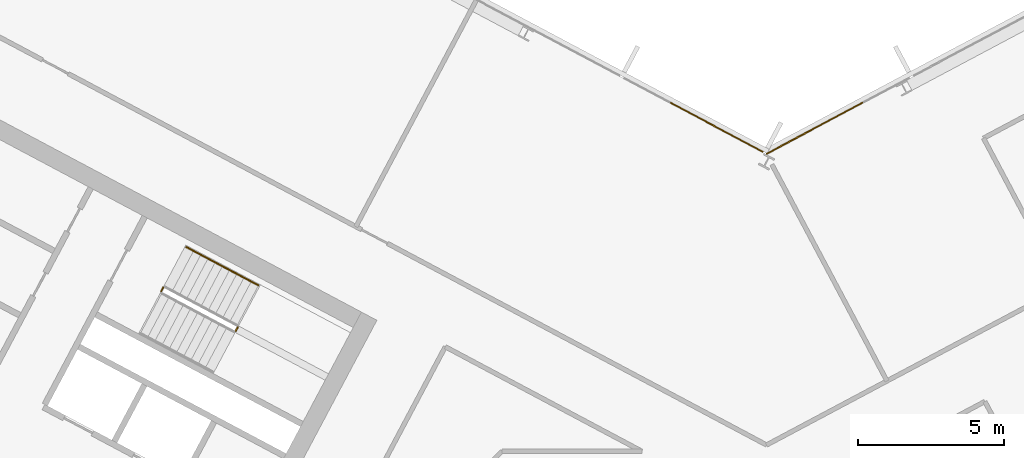
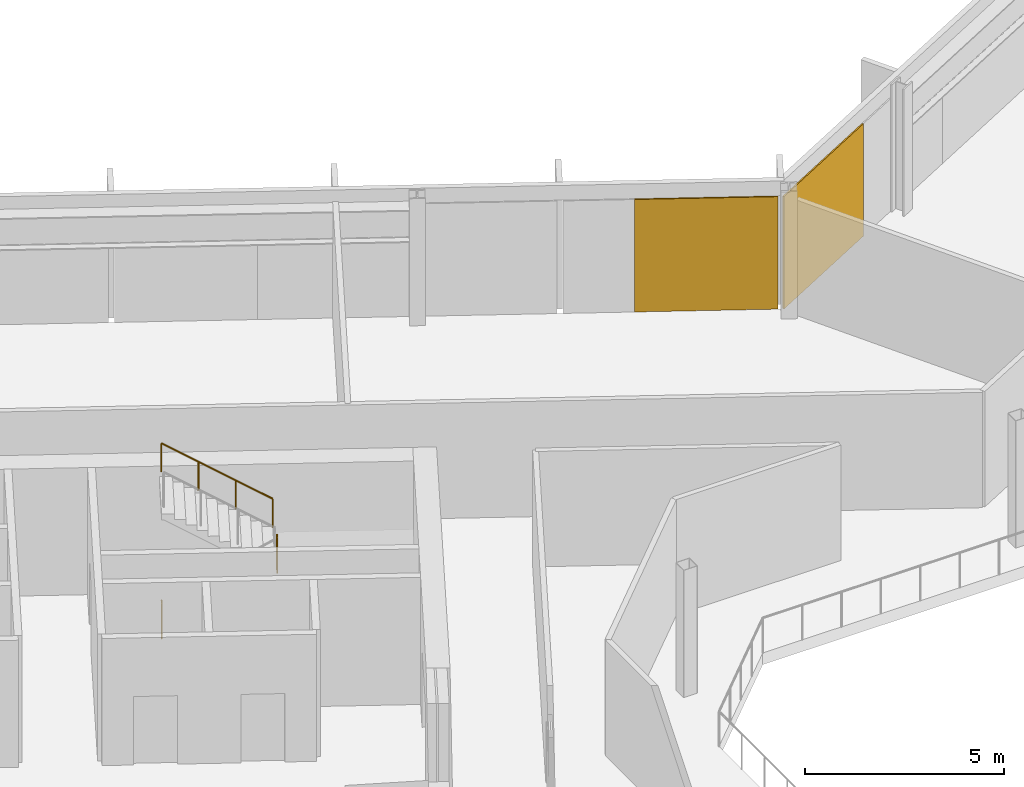
# One storey, part 23 of 27: 3 railings, 2 coverings, 2 elements without a shape of their own.
"""IFC4 building model written with IfcOpenShell, lengths in metres."""

from ifc_helpers import new_model, si_unit, direction, frame, origin, origin_2d, place, context, subcontext, project, spatial, polyline, rectangle, outline, extrude, material, layer, layer_set, type_object, element, aggregate, save


model = new_model("IFC4")

# Units and contexts
model_context = context("Model", 3, precision=1e-05, world=origin(), true_north=direction((0.0, 1.0)))
body_context = subcontext(model_context, "Body", "Model", "MODEL_VIEW")
ifc_project = project(units=[si_unit("LENGTHUNIT", "METRE"), si_unit("AREAUNIT", "SQUARE_METRE"), si_unit("VOLUMEUNIT", "CUBIC_METRE"), si_unit("PLANEANGLEUNIT", "RADIAN"), si_unit("MASSUNIT", "GRAM", prefix="KILO")], contexts=[model_context])

# Site, building, storey
site_placement = place(None, origin())
site = spatial("IfcSite", under=ifc_project, at=site_placement, CompositionType="ELEMENT")
building_placement = place(site_placement, origin())
building = spatial("IfcBuilding", under=site, at=building_placement, Name="Cormorant Relay Tower", CompositionType="ELEMENT")
storey_placement = place(building_placement, frame((0.0, 0.0, 224.699951171875)))
storey = spatial("IfcBuildingStorey", under=building, at=storey_placement, Name="L49", CompositionType="ELEMENT", Elevation=224.699951171875)

# Curtain wall, covering
ifc_material_1 = material(Name="Aluminium 6063-T6 anodised bronze", Category="aluminium")
ifc_layer_1 = layer(ifc_material_1, 0.199951171875)
ifc_layer_set_1 = layer_set([ifc_layer_1], Name="CW1 unitised bronze curtain wall with vertical fins")
curtain_wall_type = type_object("IfcCurtainWallType", Name="CW1 unitised bronze curtain wall with vertical fins", PredefinedType="NOTDEFINED", material=ifc_layer_set_1)
curtain_wall_1_placement = place(storey_placement, origin())
curtain_wall_1 = element("IfcCurtainWall", 1, at=curtain_wall_1_placement, inside=storey, type_object=curtain_wall_type, Name="CW1 curtain wall 8", PredefinedType="NOTDEFINED")
ifc_material_2 = material(Name="Pale bronze anodised aluminium insulated panel", Category="aluminium")
ifc_layer_2 = layer(ifc_material_2, 0.0400390625)
ifc_layer_set_2 = layer_set([ifc_layer_2], Name="CW1 pale bronze insulated panel 40")
covering_type = type_object("IfcCoveringType", Name="CW1 pale bronze insulated panel 40", PredefinedType="CLADDING", material=ifc_layer_set_2)
covering_1_placement = place(storey_placement, frame((1.65234375, 24.685302734375, 0.0), z_axis=(0.0, 0.0, 1.0), x_axis=(-0.882947592859, -0.469471562786, 0.0)))
covering_1 = element("IfcCovering", 2, at=covering_1_placement, type_object=covering_type, Name="CW1 panel S08", PredefinedType="CLADDING", context=body_context, shape_type="SweptSolid", body=[
    extrude(rectangle(XDim=3.763916015625, YDim=0.0400390625, at=origin_2d()), origin(), (0.0, 0.0, 1.0), 3.449951171875),
])
aggregate(curtain_wall_1, [covering_1])

curtain_wall_2_placement = place(storey_placement, origin())
curtain_wall_2 = element("IfcCurtainWall", 3, at=curtain_wall_2_placement, inside=storey, type_object=curtain_wall_type, Name="CW1 curtain wall 9", PredefinedType="NOTDEFINED")
covering_2_placement = place(storey_placement, frame((-1.718505859375, 24.720458984375, 0.0), z_axis=(0.0, 0.0, 1.0), x_axis=(-0.882947592859, 0.469471562786, 0.0)))
covering_2 = element("IfcCovering", 4, at=covering_2_placement, type_object=covering_type, Name="CW1 panel S00", PredefinedType="CLADDING", context=body_context, shape_type="SweptSolid", body=[
    extrude(rectangle(XDim=3.614013671875, YDim=0.0400390625, at=origin_2d()), origin(), (0.0, 0.0, 1.0), 3.449951171875),
])
aggregate(curtain_wall_2, [covering_2])

# Railings
ifc_material_3 = material(Name="Steel ASTM A572 Grade 50 (Fy 345 MPa)", Category="steel")
railing_type_1 = type_object("IfcRailingType", Name="Stair guard 1100", PredefinedType="GUARDRAIL", material=ifc_material_3)
railing_1_placement = place(storey_placement, frame((-18.210693359375, 17.72412109375, 1.949951171875)))
element("IfcRailing", 5, at=railing_1_placement, inside=storey, type_object=railing_type_1, Name="L49 A1 stair guard 2", PredefinedType="GUARDRAIL", context=body_context, shape_type="SweptSolid", body=[
    extrude(outline(polyline([(0.022216796875, 0.00927734375), (0.00927734375, 0.022216796875), (-0.00927734375, 0.022216796875), (-0.022216796875, 0.00927734375), (-0.022216796875, -0.00927734375), (-0.00927734375, -0.022216796875), (0.00927734375, -0.022216796875), (0.022216796875, -0.00927734375), (0.022216796875, 0.00927734375)])), frame((0.0, 0.0, 1.076171875), z_axis=(0.470503732759, 0.882398003998, 0.0), x_axis=(-0.882398003998, 0.470503732759, 0.0)), (0.0, 0.0, 1.0), 0.14990234375),
    extrude(outline(polyline([(0.019287109375, 0.008056640625), (0.008056640625, 0.019287109375), (-0.008056640625, 0.019287109375), (-0.019287109375, 0.008056640625), (-0.019287109375, -0.008056640625), (-0.008056640625, -0.019287109375), (0.008056640625, -0.019287109375), (0.019287109375, -0.008056640625), (0.019287109375, 0.008056640625)])), origin(), (0.0, 0.0, 1.0), 1.052001953125),
    extrude(outline(polyline([(0.019287109375, 0.008056640625), (0.008056640625, 0.019287109375), (-0.008056640625, 0.019287109375), (-0.019287109375, 0.008056640625), (-0.019287109375, -0.008056640625), (-0.008056640625, -0.019287109375), (0.008056640625, -0.019287109375), (0.019287109375, -0.008056640625), (0.019287109375, 0.008056640625)])), frame((0.070556640625, 0.13232421875, 0.0)), (0.0, 0.0, 1.0), 1.052001953125),
])
railing_2_placement = place(storey_placement, frame((-20.771240234375, 19.08544921875, 0.0)))
element("IfcRailing", 6, at=railing_2_placement, inside=storey, type_object=railing_type_1, Name="L49 A1 stair guard 4", PredefinedType="GUARDRAIL", context=body_context, shape_type="SweptSolid", body=[
    extrude(outline(polyline([(0.022216796875, 0.00927734375), (0.00927734375, 0.022216796875), (-0.00927734375, 0.022216796875), (-0.022216796875, 0.00927734375), (-0.022216796875, -0.00927734375), (-0.00927734375, -0.022216796875), (0.00927734375, -0.022216796875), (0.022216796875, -0.00927734375), (0.022216796875, 0.00927734375)])), frame((0.0, 0.0, 1.076171875), z_axis=(0.469828648786, 0.882757634224, 0.0), x_axis=(-0.882757634224, 0.469828648786, 0.0)), (0.0, 0.0, 1.0), 0.150146484375),
    extrude(outline(polyline([(0.019287109375, 0.008056640625), (0.008056640625, 0.019287109375), (-0.008056640625, 0.019287109375), (-0.019287109375, 0.008056640625), (-0.019287109375, -0.008056640625), (-0.008056640625, -0.019287109375), (0.008056640625, -0.019287109375), (0.019287109375, -0.008056640625), (0.019287109375, 0.008056640625)])), origin(), (0.0, 0.0, 1.0), 1.052001953125),
    extrude(outline(polyline([(0.019287109375, 0.008056640625), (0.008056640625, 0.019287109375), (-0.008056640625, 0.019287109375), (-0.019287109375, 0.008056640625), (-0.019287109375, -0.008056640625), (-0.008056640625, -0.019287109375), (0.008056640625, -0.019287109375), (0.019287109375, -0.008056640625), (0.019287109375, 0.008056640625)])), frame((0.070556640625, 0.132568359375, 0.0)), (0.0, 0.0, 1.0), 1.052001953125),
])
ifc_material_4 = material(Name="Steel ASTM A572 Grade 50 (Fy 345 MPa)", Category="steel")
railing_type_2 = type_object("IfcRailingType", Name="Stair handrail 900", PredefinedType="HANDRAIL", material=ifc_material_4)
railing_3_placement = place(storey_placement, frame((-17.433349609375, 19.292724609375, 2.12744140625)))
element("IfcRailing", 7, at=railing_3_placement, inside=storey, type_object=railing_type_2, Name="L49 A1 stair handrail 2", PredefinedType="HANDRAIL", context=body_context, shape_type="SweptSolid", body=[
    extrude(outline(polyline([(0.022216796875, 0.00927734375), (0.00927734375, 0.022216796875), (-0.00927734375, 0.022216796875), (-0.022216796875, 0.00927734375), (-0.022216796875, -0.00927734375), (-0.00927734375, -0.022216796875), (0.00927734375, -0.022216796875), (0.022216796875, -0.00927734375), (0.022216796875, 0.00927734375)])), frame((0.0, 0.0, 0.8759765625), z_axis=(-0.746001213114, 0.396649272309, 0.534931345884), x_axis=(-0.469465464807, -0.882950835185, 0.0)), (0.0, 0.0, 1.0), 3.31396484375),
    extrude(outline(polyline([(0.019287109375, 0.008056640625), (0.008056640625, 0.019287109375), (-0.008056640625, 0.019287109375), (-0.019287109375, 0.008056640625), (-0.019287109375, -0.008056640625), (-0.008056640625, -0.019287109375), (0.008056640625, -0.019287109375), (0.019287109375, -0.008056640625), (0.019287109375, 0.008056640625)])), origin(), (0.0, 0.0, 1.0), 0.851806640625),
    extrude(outline(polyline([(0.019287109375, 0.008056640625), (0.008056640625, 0.019287109375), (-0.008056640625, 0.019287109375), (-0.019287109375, 0.008056640625), (-0.019287109375, -0.008056640625), (-0.008056640625, -0.019287109375), (0.008056640625, -0.019287109375), (0.019287109375, -0.008056640625), (0.019287109375, 0.008056640625)])), frame((-0.823974609375, 0.438232421875, 0.5908203125)), (0.0, 0.0, 1.0), 0.851806640625),
    extrude(outline(polyline([(0.019287109375, 0.008056640625), (0.008056640625, 0.019287109375), (-0.008056640625, 0.019287109375), (-0.019287109375, 0.008056640625), (-0.019287109375, -0.008056640625), (-0.008056640625, -0.019287109375), (0.008056640625, -0.019287109375), (0.019287109375, -0.008056640625), (0.019287109375, 0.008056640625)])), frame((-1.648193359375, 0.876220703125, 1.181884765625)), (0.0, 0.0, 1.0), 0.851806640625),
    extrude(outline(polyline([(0.019287109375, 0.008056640625), (0.008056640625, 0.019287109375), (-0.008056640625, 0.019287109375), (-0.019287109375, 0.008056640625), (-0.019287109375, -0.008056640625), (-0.008056640625, -0.019287109375), (0.008056640625, -0.019287109375), (0.019287109375, -0.008056640625), (0.019287109375, 0.008056640625)])), frame((-2.47216796875, 1.314453125, 1.772705078125)), (0.0, 0.0, 1.0), 0.851806640625),
])

save(model, "model.ifc")
